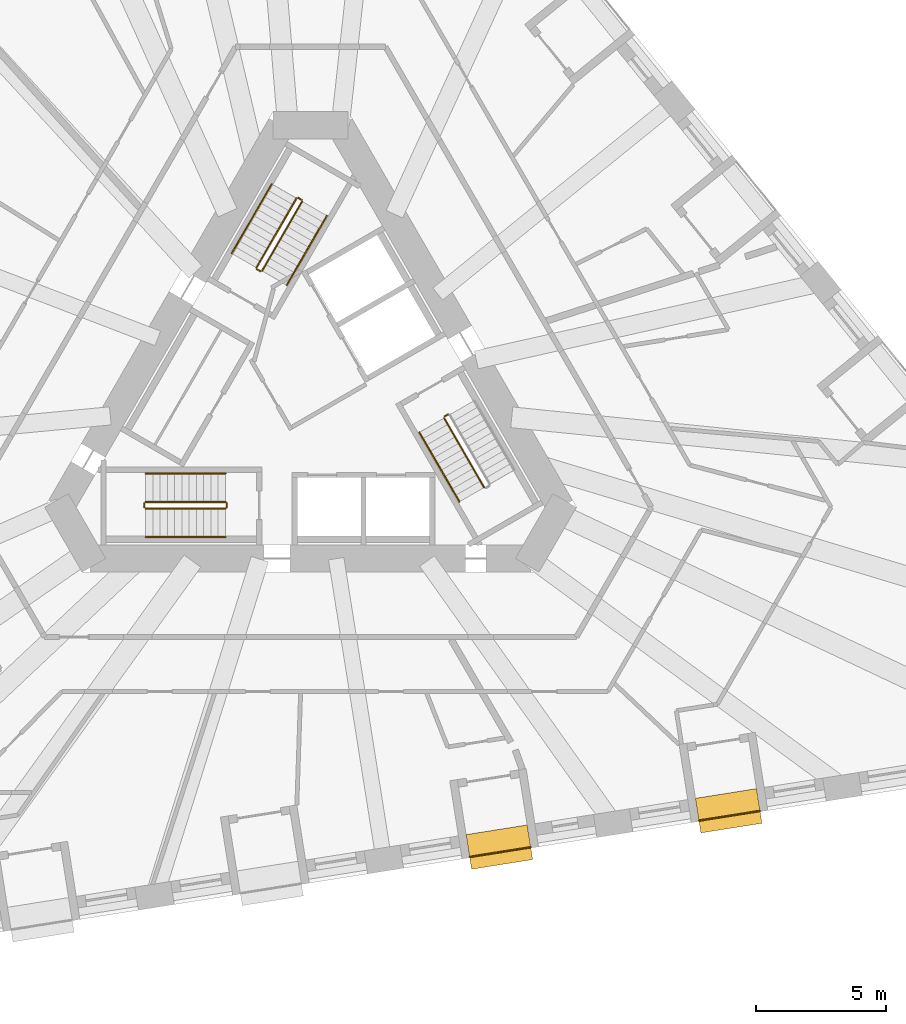
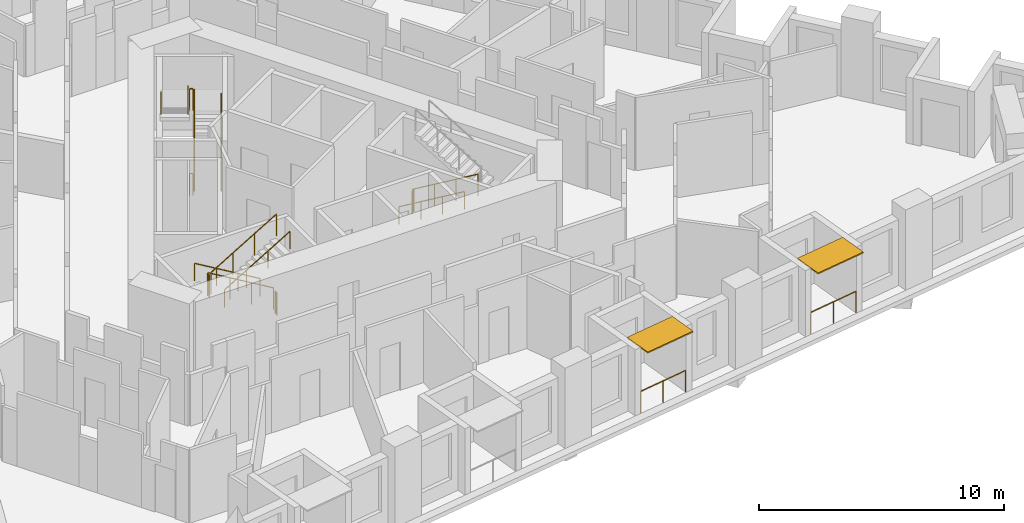
# One storey, part 12 of 14: 17 railings, 2 shading devices.
"""IFC4 building model written with IfcOpenShell, lengths in metres."""

import ifcopenshell
import ifcopenshell.guid

model = None  # the IFC model being written
_history = None  # IfcOwnerHistory: only IFC2X3 demands one
_inside = {}  # id of a spatial element -> (the spatial element, [elements in it])
_under = {}  # id of a project, library or spatial element -> (it, [spatial elements below it])
_declared = {}  # id of a project -> (the project, [libraries it declares])
_typed = {}  # id of a type object -> (the type object, [elements of that type])
_made_of = {}  # id of a material, layer set ... -> (it, [elements and type objects made of it])


def new_model(schema):
    """Start an empty IFC model of exactly this schema.

    Asked for "IFC4X3", IfcOpenShell would pick the latest addendum, in which some entities
    have other attributes; the version numbers below select the first issue.
    IFC2X3 requires an IfcOwnerHistory on every rooted entity: one is made here for all.
    """
    global model, _history
    if schema == "IFC4X3":
        model = ifcopenshell.file(schema_version=(4, 3, 0, 0))
    else:
        model = ifcopenshell.file(schema=schema)
    _inside.clear()
    _under.clear()
    _declared.clear()
    _typed.clear()
    _made_of.clear()
    _history = None
    if model.schema == "IFC2X3":
        org = make("IfcOrganization", Name="unknown")
        user = make(
            "IfcPersonAndOrganization",
            ThePerson=make("IfcPerson", FamilyName="unknown"),
            TheOrganization=org,
        )
        app = make(
            "IfcApplication",
            ApplicationDeveloper=org,
            Version="unknown",
            ApplicationFullName="unknown",
            ApplicationIdentifier="unknown",
        )
        _history = make(
            "IfcOwnerHistory",
            OwningUser=user,
            OwningApplication=app,
            ChangeAction="ADDED",
            CreationDate=0,
        )
    return model


def make(cls, **values):
    """One entity of the class cls with the attributes given. An attribute that is None is left unset."""
    return model.create_entity(
        cls, **{name: value for name, value in values.items() if value is not None}
    )


def rooted(cls, **values):
    """An entity with a GlobalId (a new one), such as an element, a storey or a relation."""
    return make(cls, GlobalId=ifcopenshell.guid.new(), OwnerHistory=_history, **values)


def si_unit(unit_type, name, prefix=None):
    """IfcSIUnit, for example si_unit("LENGTHUNIT", "METRE", prefix="MILLI")."""
    return make("IfcSIUnit", UnitType=unit_type, Prefix=prefix, Name=name)


def assignment(units):
    """IfcUnitAssignment: the units of a project."""
    return None if units is None else make("IfcUnitAssignment", Units=units)


def point(xyz):
    """IfcCartesianPoint."""
    return None if xyz is None else make("IfcCartesianPoint", Coordinates=xyz)


def direction(xyz):
    """IfcDirection."""
    return None if xyz is None else make("IfcDirection", DirectionRatios=xyz)


def frame(location, z_axis=None, x_axis=None):
    """IfcAxis2Placement3D, a coordinate frame: its origin and axes. An axis left out is left unset."""
    return make(
        "IfcAxis2Placement3D",
        Location=point(location),
        Axis=direction(z_axis),
        RefDirection=direction(x_axis),
    )


def frame_2d(location, x_axis=None):
    """IfcAxis2Placement2D, a coordinate frame in the plane: its origin and x axis."""
    return make(
        "IfcAxis2Placement2D", Location=point(location), RefDirection=direction(x_axis)
    )


def origin():
    """The frame at (0, 0, 0) with its axes left unset."""
    return frame((0.0, 0.0, 0.0))


def origin_2d():
    """The frame at (0, 0) in the plane with its x axis left unset."""
    return frame_2d((0.0, 0.0))


def place(relative_to, where):
    """IfcLocalPlacement: puts the frame where relative to a parent placement (None: the world)."""
    return make(
        "IfcLocalPlacement", PlacementRelTo=relative_to, RelativePlacement=where
    )


def context(
    kind, dimensions, precision=None, world=None, true_north=None, identifier=None
):
    """IfcGeometricRepresentationContext, for example the 3D "Model" context."""
    return make(
        "IfcGeometricRepresentationContext",
        ContextIdentifier=identifier,
        ContextType=kind,
        CoordinateSpaceDimension=dimensions,
        Precision=precision,
        WorldCoordinateSystem=world,
        TrueNorth=true_north,
    )


def subcontext(parent, identifier, kind, view, scale=None):
    """IfcGeometricRepresentationSubContext, for example "Body" below "Model"."""
    return make(
        "IfcGeometricRepresentationSubContext",
        ContextIdentifier=identifier,
        ContextType=kind,
        ParentContext=parent,
        TargetScale=scale,
        TargetView=view,
    )


def project(units=None, contexts=None):
    """IfcProject with its units and contexts."""
    return rooted(
        "IfcProject",
        Name="project",
        RepresentationContexts=contexts,
        UnitsInContext=assignment(units),
    )


def spatial(cls, under=None, at=None, **own):
    """A site, building, storey or space (cls), placed at a placement, below another one or the project."""
    s = rooted(cls, ObjectPlacement=at, **own)
    if under is not None:
        _under.setdefault(under.id(), (under, []))[1].append(s)
    return s


def profile(cls, at=None, kind="AREA", **sizes):
    """A parametric profile (cls). Its sizes go by their IFC names, for example OverallWidth=200.0."""
    return make(cls, ProfileType=kind, Position=at, **sizes)


def rectangle(**sizes):
    """IfcRectangleProfileDef."""
    return profile("IfcRectangleProfileDef", **sizes)


def circle(**sizes):
    """IfcCircleProfileDef."""
    return profile("IfcCircleProfileDef", **sizes)


def extrude(swept, where, along, depth):
    """IfcExtrudedAreaSolid: the profile swept, set in the frame where, extruded along a direction by depth."""
    return make(
        "IfcExtrudedAreaSolid",
        SweptArea=swept,
        Position=where,
        ExtrudedDirection=direction(along),
        Depth=depth,
    )


def shape(context_of_items, identifier, shape_type, items):
    """IfcShapeRepresentation: the items that make up one representation, for example the "Body"."""
    return make(
        "IfcShapeRepresentation",
        ContextOfItems=context_of_items,
        RepresentationIdentifier=identifier,
        RepresentationType=shape_type,
        Items=items,
    )


def material(Name=None, Category=None):
    """IfcMaterial."""
    return make("IfcMaterial", Name=Name, Category=Category)


def layer(
    of_material, thickness, ventilated=None, Name=None, Category=None, Priority=None
):
    """IfcMaterialLayer: one layer of a wall or slab, of a material (None: an air gap)."""
    return make(
        "IfcMaterialLayer",
        Material=of_material,
        LayerThickness=thickness,
        IsVentilated=ventilated,
        Name=Name,
        Category=Category,
        Priority=Priority,
    )


def layer_set(layers, Name=None):
    """IfcMaterialLayerSet."""
    return make("IfcMaterialLayerSet", MaterialLayers=layers, LayerSetName=Name)


def made_of(thing, what):
    """Note that an element or type object is made of a material, layer set ...; save() writes the relation."""
    if what is not None:
        _made_of.setdefault(what.id(), (what, []))[1].append(thing)
    return thing


def type_object(cls, material=None, **own):
    """A type object (cls), such as IfcWallType, which elements share."""
    return made_of(rooted(cls, **own), material)


def element(
    cls,
    number,
    at=None,
    inside=None,
    cuts=None,
    type_object=None,
    material=None,
    context=None,
    identifier="Body",
    shape_type=None,
    held_by="IfcProductDefinitionShape",
    body=None,
    shapes=None,
    **own,
):
    """One element of the class cls, such as IfcWall. Its Tag is "e" and its number.

    at: its placement. inside: the storey or other place that contains it. cuts: it is an
    opening in that element (IfcRelVoidsElement). A single representation is given by context,
    identifier, shape_type and body (its items); several are given by shapes. held_by: the class
    of the entity that holds the representations. save() writes the other relations.
    """
    e = rooted(cls, Tag="e%d" % number, ObjectPlacement=at, **own)
    if body is not None:
        shapes = [shape(context, identifier, shape_type, body)]
    if shapes is not None:
        e.Representation = make(held_by, Representations=shapes)
    if inside is not None:
        _inside.setdefault(inside.id(), (inside, []))[1].append(e)
    if cuts is not None:
        rooted(
            "IfcRelVoidsElement", RelatingBuildingElement=cuts, RelatedOpeningElement=e
        )
    if type_object is not None:
        _typed.setdefault(type_object.id(), (type_object, []))[1].append(e)
    return made_of(e, material)


def aggregate(whole, parts):
    """IfcRelAggregates: a whole, such as a stair, and the parts it consists of."""
    return rooted("IfcRelAggregates", RelatingObject=whole, RelatedObjects=parts)


def save(model, path):
    """Write the relations noted so far, then the file.

    IfcRelAggregates (storeys below a building ...), IfcRelContainedInSpatialStructure (elements
    in a storey), IfcRelDefinesByType, IfcRelAssociatesMaterial and IfcRelDeclares: one each for
    every whole, place, type object, material and project.
    """
    for whole, parts in _under.values():
        aggregate(whole, parts)
    for where, things in _inside.values():
        rooted(
            "IfcRelContainedInSpatialStructure",
            RelatedElements=things,
            RelatingStructure=where,
        )
    for kind, things in _typed.values():
        rooted("IfcRelDefinesByType", RelatedObjects=things, RelatingType=kind)
    for what, things in _made_of.values():
        rooted("IfcRelAssociatesMaterial", RelatedObjects=things, RelatingMaterial=what)
    for by, libraries in _declared.values():
        rooted("IfcRelDeclares", RelatingContext=by, RelatedDefinitions=libraries)
    model.write(path)


model = new_model("IFC4")

# Units and contexts
model_context = context("Model", 3, precision=1e-05, world=origin(), true_north=direction((0.0, 1.0)))
body_context = subcontext(model_context, "Body", "Model", "MODEL_VIEW")
ifc_project = project(units=[si_unit("LENGTHUNIT", "METRE"), si_unit("AREAUNIT", "SQUARE_METRE"), si_unit("VOLUMEUNIT", "CUBIC_METRE"), si_unit("PLANEANGLEUNIT", "RADIAN"), si_unit("MASSUNIT", "GRAM", prefix="KILO")], contexts=[model_context])

# Site, building, storey
site_placement = place(None, origin())
site = spatial("IfcSite", under=ifc_project, at=site_placement, CompositionType="ELEMENT")
building_placement = place(site_placement, origin())
building = spatial("IfcBuilding", under=site, at=building_placement, Name="Tramontana Tower", CompositionType="ELEMENT")
storey_placement = place(building_placement, frame((0.0, 0.0, 79.199951171875)))
storey = spatial("IfcBuildingStorey", under=building, at=storey_placement, Name="L17", CompositionType="ELEMENT", Elevation=79.199951171875)

# Railings
ifc_material_1 = material(Name="Laminated glass balustrade", Category="glass")
railing_type_1 = type_object("IfcRailingType", Name="GD1 Loggia glass balustrade 1100", PredefinedType="BALUSTRADE", material=ifc_material_1)
railing_1_placement = place(storey_placement, frame((6.1318359375, -17.72900390625, 0.0)))
element("IfcRailing", 1, at=railing_1_placement, inside=storey, type_object=railing_type_1, Name="Loggia balustrade L17 G1S1.10", PredefinedType="BALUSTRADE", context=body_context, shape_type="SweptSolid", body=[
    extrude(circle(Radius=0.02392578125, at=origin_2d()), frame((0.0, 0.0, 1.076171875), z_axis=(0.987688093492, 0.15643602518, 0.0), x_axis=(-0.15643602518, 0.987688093492, 0.0)), (0.0, 0.0, 1.0), 2.383056640625),
    extrude(circle(Radius=0.02099609375, at=origin_2d()), origin(), (0.0, 0.0, 1.0), 1.052001953125),
    extrude(circle(Radius=0.02099609375, at=origin_2d()), frame((1.1767578125, 0.1865234375, 0.0)), (0.0, 0.0, 1.0), 1.052001953125),
    extrude(circle(Radius=0.02099609375, at=origin_2d()), frame((2.353759765625, 0.372802734375, 0.0)), (0.0, 0.0, 1.0), 1.052001953125),
])
railing_2_placement = place(storey_placement, frame((14.970703125, -16.3291015625, 0.0)))
element("IfcRailing", 2, at=railing_2_placement, inside=storey, type_object=railing_type_1, Name="Loggia balustrade L17 G1S1.13", PredefinedType="BALUSTRADE", context=body_context, shape_type="SweptSolid", body=[
    extrude(circle(Radius=0.02392578125, at=origin_2d()), frame((0.0, 0.0, 1.076171875), z_axis=(0.987685586014, 0.156451855793, 0.0), x_axis=(-0.156451855793, 0.987685586014, 0.0)), (0.0, 0.0, 1.0), 2.3828125),
    extrude(circle(Radius=0.02099609375, at=origin_2d()), origin(), (0.0, 0.0, 1.0), 1.052001953125),
    extrude(circle(Radius=0.02099609375, at=origin_2d()), frame((1.1767578125, 0.1865234375, 0.0)), (0.0, 0.0, 1.0), 1.052001953125),
    extrude(circle(Radius=0.02099609375, at=origin_2d()), frame((2.353515625, 0.372802734375, 0.0)), (0.0, 0.0, 1.0), 1.052001953125),
])

# Shading devices
ifc_material_2 = material(Name="Precast concrete 60 MPa", Category="concrete")
ifc_layer = layer(ifc_material_2, 0.06005859375)
ifc_layer_set = layer_set([ifc_layer], Name="SS1 Stone sunshade blade 60")
shading_device_type = type_object("IfcShadingDeviceType", Name="SS1 Stone sunshade blade 60", PredefinedType="USERDEFINED", material=ifc_layer_set)
for number, where, z_axis, x_axis, name in (
    (3, (7.2783203125, -17.35009765625, 3.239990234375), (0.0, 0.0, 1.0), (0.987688340595, 0.15643446504, 0.0), "Sunshade L17 G1S1.10"),
    (4, (16.116943359375, -15.9501953125, 3.239990234375), (0.0, 0.0, 1.0), (0.987688340595, 0.15643446504, 0.0), "Sunshade L17 G1S1.13"),
):
    element("IfcShadingDevice", number, at=place(storey_placement, frame(where, z_axis=z_axis, x_axis=x_axis)), inside=storey, type_object=shading_device_type, Name=name, ObjectType="SUNSHADE", PredefinedType="USERDEFINED", context=body_context, shape_type="SweptSolid", body=[
        extrude(rectangle(XDim=2.383056640625, YDim=1.35009765625, at=origin_2d()), origin(), (0.0, 0.0, 1.0), 0.06005859375),
    ])

# Railings
ifc_material_3 = material(Name="Painted steel", Category="steel")
railing_type_2 = type_object("IfcRailingType", Name="STAIR GUARD 1100", PredefinedType="GUARDRAIL", material=ifc_material_3)
railing_3_placement = place(storey_placement, frame((-1.867431640625, 4.865478515625, 0.166748046875)))
element("IfcRailing", 5, at=railing_3_placement, inside=storey, type_object=railing_type_2, Name="L17 ST1 stair guard 1", PredefinedType="GUARDRAIL", context=body_context, shape_type="SweptSolid", body=[
    extrude(circle(Radius=0.02392578125, at=origin_2d()), frame((0.0, 0.0, 1.076171875), z_axis=(0.429649414936, 0.744189839504, 0.511451721109), x_axis=(-0.866029832698, 0.499992328818, 0.0)), (0.0, 0.0, 1.0), 3.58447265625),
    extrude(circle(Radius=0.02099609375, at=origin_2d()), origin(), (0.0, 0.0, 1.0), 1.052001953125),
    extrude(circle(Radius=0.02099609375, at=origin_2d()), frame((0.513427734375, 0.88916015625, 0.611083984375)), (0.0, 0.0, 1.0), 1.052001953125),
    extrude(circle(Radius=0.02099609375, at=origin_2d()), frame((1.026611328125, 1.7783203125, 1.22216796875)), (0.0, 0.0, 1.0), 1.052001953125),
    extrude(circle(Radius=0.02099609375, at=origin_2d()), frame((1.5400390625, 2.66748046875, 1.833251953125)), (0.0, 0.0, 1.0), 1.052001953125),
])
railing_4_placement = place(storey_placement, frame((-0.5439453125, 7.657958984375, 2.166748046875)))
element("IfcRailing", 6, at=railing_4_placement, inside=storey, type_object=railing_type_2, Name="L17 ST1 stair guard 2", PredefinedType="GUARDRAIL", context=body_context, shape_type="SweptSolid", body=[
    extrude(circle(Radius=0.02392578125, at=origin_2d()), frame((0.0, 0.0, 1.076171875), z_axis=(-0.429649414936, -0.744189839504, 0.511451721109), x_axis=(0.866029832698, -0.499992328818, 0.0)), (0.0, 0.0, 1.0), 3.58447265625),
    extrude(circle(Radius=0.02099609375, at=origin_2d()), origin(), (0.0, 0.0, 1.0), 1.052001953125),
    extrude(circle(Radius=0.02099609375, at=origin_2d()), frame((-0.513427734375, -0.88916015625, 0.611083984375)), (0.0, 0.0, 1.0), 1.052001953125),
    extrude(circle(Radius=0.02099609375, at=origin_2d()), frame((-1.026611328125, -1.7783203125, 1.22216796875)), (0.0, 0.0, 1.0), 1.052001953125),
    extrude(circle(Radius=0.02099609375, at=origin_2d()), frame((-1.5400390625, -2.66748046875, 1.833251953125)), (0.0, 0.0, 1.0), 1.052001953125),
])
railing_5_placement = place(storey_placement, frame((-0.345703125, 7.601318359375, 2.0)))
element("IfcRailing", 7, at=railing_5_placement, inside=storey, type_object=railing_type_2, Name="L17 ST1 stair guard 3", PredefinedType="GUARDRAIL", context=body_context, shape_type="SweptSolid", body=[
    extrude(circle(Radius=0.02392578125, at=origin_2d()), frame((0.0, 0.0, 1.076171875), z_axis=(-0.866131372301, 0.499816412211, 0.0), x_axis=(-0.499816412211, -0.866131372301, 0.0)), (0.0, 0.0, 1.0), 0.14990234375),
    extrude(circle(Radius=0.02099609375, at=origin_2d()), origin(), (0.0, 0.0, 1.0), 1.052001953125),
    extrude(circle(Radius=0.02099609375, at=origin_2d()), frame((-0.1298828125, 0.074951171875, 0.0)), (0.0, 0.0, 1.0), 1.052001953125),
])
railing_6_placement = place(storey_placement, frame((-1.935791015625, 4.84716796875, 0.0)))
element("IfcRailing", 8, at=railing_6_placement, inside=storey, type_object=railing_type_2, Name="L17 ST1 stair guard 4", PredefinedType="GUARDRAIL", context=body_context, shape_type="SweptSolid", body=[
    extrude(circle(Radius=0.02392578125, at=origin_2d()), frame((0.0, 0.0, 1.076171875), z_axis=(-0.865426285481, 0.501036270542, 0.0), x_axis=(-0.501036270542, -0.865426285481, 0.0)), (0.0, 0.0, 1.0), 0.150146484375),
    extrude(circle(Radius=0.02099609375, at=origin_2d()), origin(), (0.0, 0.0, 1.0), 1.052001953125),
    extrude(circle(Radius=0.02099609375, at=origin_2d()), frame((-0.1298828125, 0.0751953125, 0.0)), (0.0, 0.0, 1.0), 1.052001953125),
])
railing_7_placement = place(storey_placement, frame((-3.280029296875, -4.050048828125, 0.166748046875)))
element("IfcRailing", 9, at=railing_7_placement, inside=storey, type_object=railing_type_2, Name="L17 ST2 stair guard 1", PredefinedType="GUARDRAIL", context=body_context, shape_type="SweptSolid", body=[
    extrude(circle(Radius=0.02392578125, at=origin_2d()), frame((0.0, 0.0, 1.076171875), z_axis=(-0.859308565015, 0.0, 0.511457515432), x_axis=(0.0, -1.0, 0.0)), (0.0, 0.0, 1.0), 3.58447265625),
    extrude(circle(Radius=0.02099609375, at=origin_2d()), origin(), (0.0, 0.0, 1.0), 1.052001953125),
    extrude(circle(Radius=0.02099609375, at=origin_2d()), frame((-1.026611328125, 0.0, 0.611083984375)), (0.0, 0.0, 1.0), 1.052001953125),
    extrude(circle(Radius=0.02099609375, at=origin_2d()), frame((-2.053466796875, 0.0, 1.22216796875)), (0.0, 0.0, 1.0), 1.052001953125),
    extrude(circle(Radius=0.02099609375, at=origin_2d()), frame((-3.080078125, 0.0, 1.833251953125)), (0.0, 0.0, 1.0), 1.052001953125),
])
railing_8_placement = place(storey_placement, frame((-6.360107421875, -4.300048828125, 2.166748046875)))
element("IfcRailing", 10, at=railing_8_placement, inside=storey, type_object=railing_type_2, Name="L17 ST2 stair guard 2", PredefinedType="GUARDRAIL", context=body_context, shape_type="SweptSolid", body=[
    extrude(circle(Radius=0.02392578125, at=origin_2d()), frame((0.0, 0.0, 1.076171875), z_axis=(0.859308565015, 0.0, 0.511457515432), x_axis=(0.0, 1.0, 0.0)), (0.0, 0.0, 1.0), 3.58447265625),
    extrude(circle(Radius=0.02099609375, at=origin_2d()), origin(), (0.0, 0.0, 1.0), 1.052001953125),
    extrude(circle(Radius=0.02099609375, at=origin_2d()), frame((1.026611328125, 0.0, 0.611083984375)), (0.0, 0.0, 1.0), 1.052001953125),
    extrude(circle(Radius=0.02099609375, at=origin_2d()), frame((2.053466796875, 0.0, 1.22216796875)), (0.0, 0.0, 1.0), 1.052001953125),
    extrude(circle(Radius=0.02099609375, at=origin_2d()), frame((3.080078125, 0.0, 1.833251953125)), (0.0, 0.0, 1.0), 1.052001953125),
])
for number, where, name in (
    (11, (-6.409912109375, -4.10009765625, 2.0), "L17 ST2 stair guard 3"),
    (12, (-3.22998046875, -4.10009765625, 0.0), "L17 ST2 stair guard 4"),
):
    element("IfcRailing", number, at=place(storey_placement, frame(where)), inside=storey, type_object=railing_type_2, Name=name, PredefinedType="GUARDRAIL", context=body_context, shape_type="SweptSolid", body=[
        extrude(circle(Radius=0.02392578125, at=origin_2d()), frame((0.0, 0.0, 1.076171875), z_axis=(0.0, -1.0, 0.0), x_axis=(1.0, 0.0, 0.0)), (0.0, 0.0, 1.0), 0.14990234375),
        extrude(circle(Radius=0.02099609375, at=origin_2d()), origin(), (0.0, 0.0, 1.0), 1.052001953125),
        extrude(circle(Radius=0.02099609375, at=origin_2d()), frame((0.0, -0.14990234375, 0.0)), (0.0, 0.0, 1.0), 1.052001953125),
    ])
railing_9_placement = place(storey_placement, frame((5.1474609375, -0.815673828125, 0.166748046875)))
element("IfcRailing", 13, at=railing_9_placement, inside=storey, type_object=railing_type_2, Name="L17 ST3 stair guard 1", PredefinedType="GUARDRAIL", context=body_context, shape_type="SweptSolid", body=[
    extrude(circle(Radius=0.02392578125, at=origin_2d()), frame((0.0, 0.0, 1.076171875), z_axis=(0.429671193721, -0.744159446956, 0.511477646425), x_axis=(0.866010015463, 0.500026652407, 0.0)), (0.0, 0.0, 1.0), 3.584228515625),
    extrude(circle(Radius=0.02099609375, at=origin_2d()), origin(), (0.0, 0.0, 1.0), 1.052001953125),
    extrude(circle(Radius=0.02099609375, at=origin_2d()), frame((0.513427734375, -0.88916015625, 0.611083984375)), (0.0, 0.0, 1.0), 1.052001953125),
    extrude(circle(Radius=0.02099609375, at=origin_2d()), frame((1.026611328125, -1.778076171875, 1.22216796875)), (0.0, 0.0, 1.0), 1.052001953125),
    extrude(circle(Radius=0.02099609375, at=origin_2d()), frame((1.5400390625, -2.667236328125, 1.833251953125)), (0.0, 0.0, 1.0), 1.052001953125),
])
railing_10_placement = place(storey_placement, frame((5.165771484375, -0.747314453125, 0.0)))
element("IfcRailing", 14, at=railing_10_placement, inside=storey, type_object=railing_type_2, Name="L17 ST3 stair guard 4", PredefinedType="GUARDRAIL", context=body_context, shape_type="SweptSolid", body=[
    extrude(circle(Radius=0.02392578125, at=origin_2d()), frame((0.0, 0.0, 1.076171875), z_axis=(0.866131372301, 0.499816412211, 0.0), x_axis=(-0.499816412211, 0.866131372301, 0.0)), (0.0, 0.0, 1.0), 0.14990234375),
    extrude(circle(Radius=0.02099609375, at=origin_2d()), origin(), (0.0, 0.0, 1.0), 1.052001953125),
    extrude(circle(Radius=0.02099609375, at=origin_2d()), frame((0.1298828125, 0.074951171875, 0.0)), (0.0, 0.0, 1.0), 1.052001953125),
])
ifc_material_4 = material(Name="Painted steel", Category="steel")
railing_type_3 = type_object("IfcRailingType", Name="STAIR HANDRAIL 900", PredefinedType="HANDRAIL", material=ifc_material_4)
railing_11_placement = place(storey_placement, frame((-0.914794921875, 4.315673828125, 0.166748046875)))
element("IfcRailing", 15, at=railing_11_placement, inside=storey, type_object=railing_type_3, Name="L17 ST1 stair handrail 1", PredefinedType="HANDRAIL", context=body_context, shape_type="SweptSolid", body=[
    extrude(circle(Radius=0.02392578125, at=origin_2d()), frame((0.0, 0.0, 0.8759765625), z_axis=(0.429671193721, 0.744159446956, 0.511477646425), x_axis=(-0.866010015463, 0.500026652407, 0.0)), (0.0, 0.0, 1.0), 3.584228515625),
    extrude(circle(Radius=0.02099609375, at=origin_2d()), origin(), (0.0, 0.0, 1.0), 0.851806640625),
    extrude(circle(Radius=0.02099609375, at=origin_2d()), frame((0.513427734375, 0.88916015625, 0.611083984375)), (0.0, 0.0, 1.0), 0.851806640625),
    extrude(circle(Radius=0.02099609375, at=origin_2d()), frame((1.026611328125, 1.778076171875, 1.22216796875)), (0.0, 0.0, 1.0), 0.851806640625),
    extrude(circle(Radius=0.02099609375, at=origin_2d()), frame((1.5400390625, 2.667236328125, 1.833251953125)), (0.0, 0.0, 1.0), 0.851806640625),
])
railing_12_placement = place(storey_placement, frame((-1.49658203125, 8.2080078125, 2.166748046875)))
element("IfcRailing", 16, at=railing_12_placement, inside=storey, type_object=railing_type_3, Name="L17 ST1 stair handrail 2", PredefinedType="HANDRAIL", context=body_context, shape_type="SweptSolid", body=[
    extrude(circle(Radius=0.02392578125, at=origin_2d()), frame((0.0, 0.0, 0.8759765625), z_axis=(-0.429649414936, -0.744189839504, 0.511451721109), x_axis=(0.866029832698, -0.499992328818, 0.0)), (0.0, 0.0, 1.0), 3.58447265625),
    extrude(circle(Radius=0.02099609375, at=origin_2d()), origin(), (0.0, 0.0, 1.0), 0.851806640625),
    extrude(circle(Radius=0.02099609375, at=origin_2d()), frame((-0.513427734375, -0.88916015625, 0.611083984375)), (0.0, 0.0, 1.0), 0.851806640625),
    extrude(circle(Radius=0.02099609375, at=origin_2d()), frame((-1.026611328125, -1.7783203125, 1.22216796875)), (0.0, 0.0, 1.0), 0.851806640625),
    extrude(circle(Radius=0.02099609375, at=origin_2d()), frame((-1.5400390625, -2.66748046875, 1.833251953125)), (0.0, 0.0, 1.0), 0.851806640625),
])
railing_13_placement = place(storey_placement, frame((-3.280029296875, -2.949951171875, 0.166748046875)))
element("IfcRailing", 17, at=railing_13_placement, inside=storey, type_object=railing_type_3, Name="L17 ST2 stair handrail 1", PredefinedType="HANDRAIL", context=body_context, shape_type="SweptSolid", body=[
    extrude(circle(Radius=0.02392578125, at=origin_2d()), frame((0.0, 0.0, 0.8759765625), z_axis=(-0.859308565015, 0.0, 0.511457515432), x_axis=(0.0, -1.0, 0.0)), (0.0, 0.0, 1.0), 3.58447265625),
    extrude(circle(Radius=0.02099609375, at=origin_2d()), origin(), (0.0, 0.0, 1.0), 0.851806640625),
    extrude(circle(Radius=0.02099609375, at=origin_2d()), frame((-1.026611328125, 0.0, 0.611083984375)), (0.0, 0.0, 1.0), 0.851806640625),
    extrude(circle(Radius=0.02099609375, at=origin_2d()), frame((-2.053466796875, 0.0, 1.22216796875)), (0.0, 0.0, 1.0), 0.851806640625),
    extrude(circle(Radius=0.02099609375, at=origin_2d()), frame((-3.080078125, 0.0, 1.833251953125)), (0.0, 0.0, 1.0), 0.851806640625),
])
railing_14_placement = place(storey_placement, frame((-6.360107421875, -5.39990234375, 2.166748046875)))
element("IfcRailing", 18, at=railing_14_placement, inside=storey, type_object=railing_type_3, Name="L17 ST2 stair handrail 2", PredefinedType="HANDRAIL", context=body_context, shape_type="SweptSolid", body=[
    extrude(circle(Radius=0.02392578125, at=origin_2d()), frame((0.0, 0.0, 0.8759765625), z_axis=(0.859308565015, 0.0, 0.511457515432), x_axis=(0.0, 1.0, 0.0)), (0.0, 0.0, 1.0), 3.58447265625),
    extrude(circle(Radius=0.02099609375, at=origin_2d()), origin(), (0.0, 0.0, 1.0), 0.851806640625),
    extrude(circle(Radius=0.02099609375, at=origin_2d()), frame((1.026611328125, 0.0, 0.611083984375)), (0.0, 0.0, 1.0), 0.851806640625),
    extrude(circle(Radius=0.02099609375, at=origin_2d()), frame((2.053466796875, 0.0, 1.22216796875)), (0.0, 0.0, 1.0), 0.851806640625),
    extrude(circle(Radius=0.02099609375, at=origin_2d()), frame((3.080078125, 0.0, 1.833251953125)), (0.0, 0.0, 1.0), 0.851806640625),
])
railing_15_placement = place(storey_placement, frame((4.19482421875, -1.365478515625, 0.166748046875)))
element("IfcRailing", 19, at=railing_15_placement, inside=storey, type_object=railing_type_3, Name="L17 ST3 stair handrail 1", PredefinedType="HANDRAIL", context=body_context, shape_type="SweptSolid", body=[
    extrude(circle(Radius=0.02392578125, at=origin_2d()), frame((0.0, 0.0, 0.8759765625), z_axis=(0.429649414936, -0.744189839504, 0.511451721109), x_axis=(0.866029832698, 0.499992328818, 0.0)), (0.0, 0.0, 1.0), 3.58447265625),
    extrude(circle(Radius=0.02099609375, at=origin_2d()), origin(), (0.0, 0.0, 1.0), 0.851806640625),
    extrude(circle(Radius=0.02099609375, at=origin_2d()), frame((0.513427734375, -0.88916015625, 0.611083984375)), (0.0, 0.0, 1.0), 0.851806640625),
    extrude(circle(Radius=0.02099609375, at=origin_2d()), frame((1.026611328125, -1.7783203125, 1.22216796875)), (0.0, 0.0, 1.0), 0.851806640625),
    extrude(circle(Radius=0.02099609375, at=origin_2d()), frame((1.5400390625, -2.66748046875, 1.833251953125)), (0.0, 0.0, 1.0), 0.851806640625),
])

save(model, "model.ifc")
